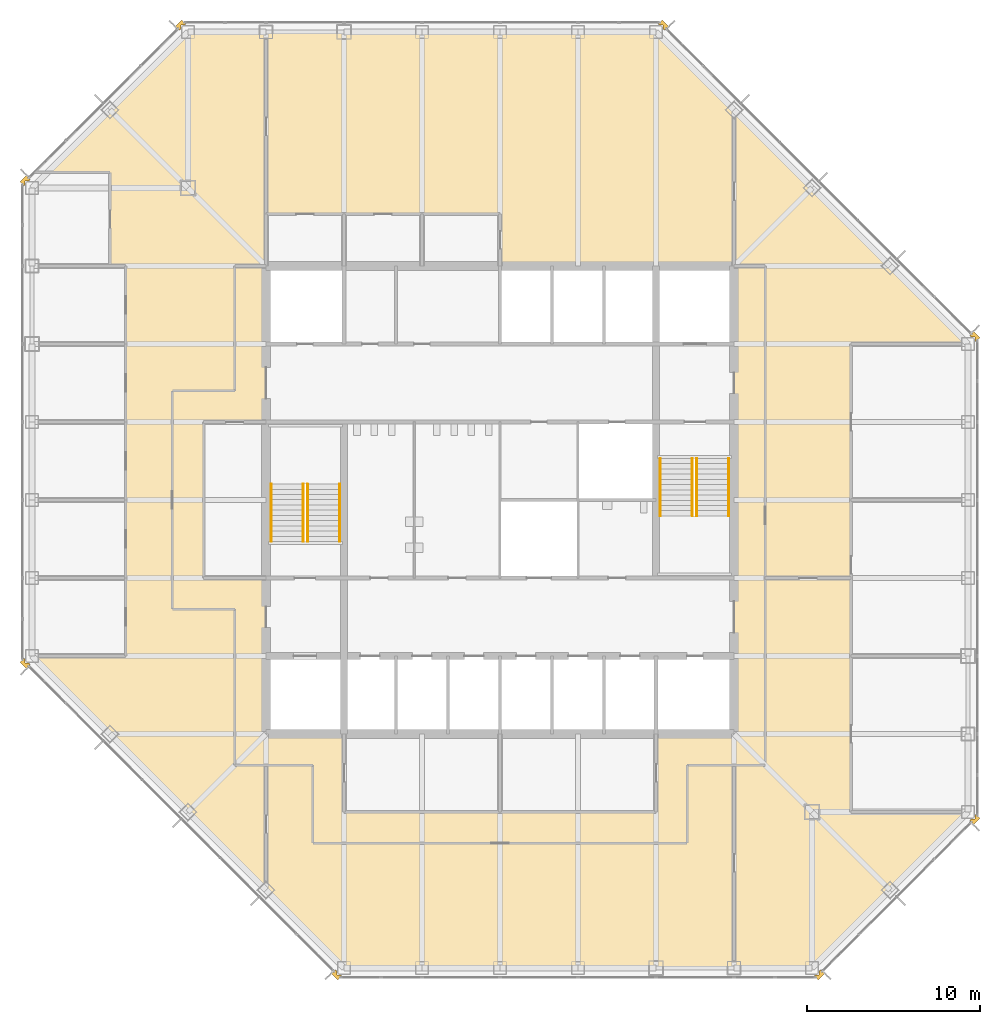
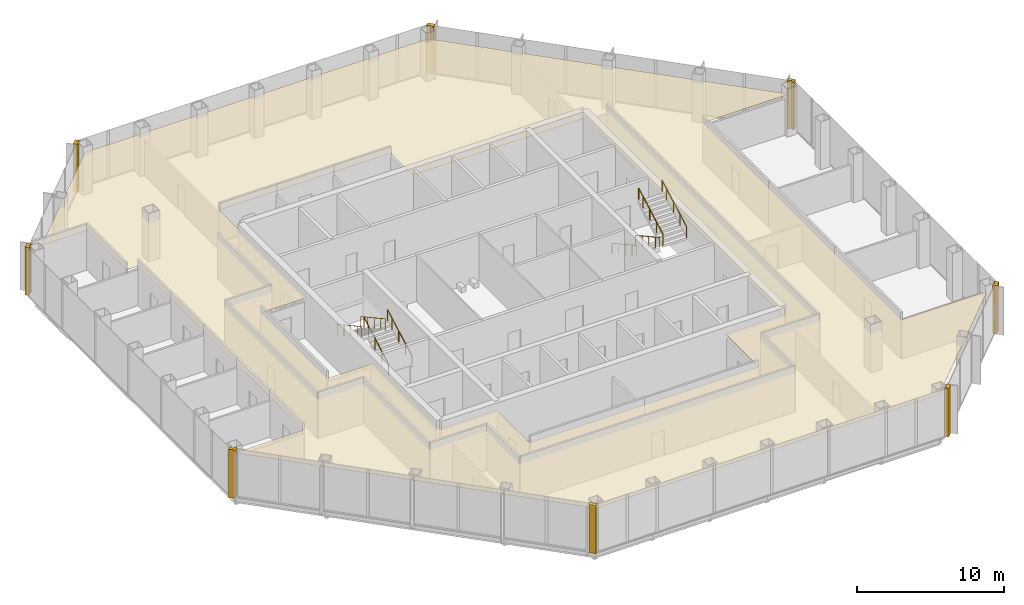
# One storey, part 12 of 13: 9 coverings, 8 railings.
"""IFC4 building model written with IfcOpenShell, lengths in metres."""

import ifcopenshell
import ifcopenshell.guid

model = None  # the IFC model being written
_history = None  # IfcOwnerHistory: only IFC2X3 demands one
_inside = {}  # id of a spatial element -> (the spatial element, [elements in it])
_under = {}  # id of a project, library or spatial element -> (it, [spatial elements below it])
_declared = {}  # id of a project -> (the project, [libraries it declares])
_typed = {}  # id of a type object -> (the type object, [elements of that type])
_made_of = {}  # id of a material, layer set ... -> (it, [elements and type objects made of it])


def new_model(schema):
    """Start an empty IFC model of exactly this schema.

    Asked for "IFC4X3", IfcOpenShell would pick the latest addendum, in which some entities
    have other attributes; the version numbers below select the first issue.
    IFC2X3 requires an IfcOwnerHistory on every rooted entity: one is made here for all.
    """
    global model, _history
    if schema == "IFC4X3":
        model = ifcopenshell.file(schema_version=(4, 3, 0, 0))
    else:
        model = ifcopenshell.file(schema=schema)
    _inside.clear()
    _under.clear()
    _declared.clear()
    _typed.clear()
    _made_of.clear()
    _history = None
    if model.schema == "IFC2X3":
        org = make("IfcOrganization", Name="unknown")
        user = make(
            "IfcPersonAndOrganization",
            ThePerson=make("IfcPerson", FamilyName="unknown"),
            TheOrganization=org,
        )
        app = make(
            "IfcApplication",
            ApplicationDeveloper=org,
            Version="unknown",
            ApplicationFullName="unknown",
            ApplicationIdentifier="unknown",
        )
        _history = make(
            "IfcOwnerHistory",
            OwningUser=user,
            OwningApplication=app,
            ChangeAction="ADDED",
            CreationDate=0,
        )
    return model


def make(cls, **values):
    """One entity of the class cls with the attributes given. An attribute that is None is left unset."""
    return model.create_entity(
        cls, **{name: value for name, value in values.items() if value is not None}
    )


def rooted(cls, **values):
    """An entity with a GlobalId (a new one), such as an element, a storey or a relation."""
    return make(cls, GlobalId=ifcopenshell.guid.new(), OwnerHistory=_history, **values)


def si_unit(unit_type, name, prefix=None):
    """IfcSIUnit, for example si_unit("LENGTHUNIT", "METRE", prefix="MILLI")."""
    return make("IfcSIUnit", UnitType=unit_type, Prefix=prefix, Name=name)


def assignment(units):
    """IfcUnitAssignment: the units of a project."""
    return None if units is None else make("IfcUnitAssignment", Units=units)


def point(xyz):
    """IfcCartesianPoint."""
    return None if xyz is None else make("IfcCartesianPoint", Coordinates=xyz)


def direction(xyz):
    """IfcDirection."""
    return None if xyz is None else make("IfcDirection", DirectionRatios=xyz)


def frame(location, z_axis=None, x_axis=None):
    """IfcAxis2Placement3D, a coordinate frame: its origin and axes. An axis left out is left unset."""
    return make(
        "IfcAxis2Placement3D",
        Location=point(location),
        Axis=direction(z_axis),
        RefDirection=direction(x_axis),
    )


def frame_2d(location, x_axis=None):
    """IfcAxis2Placement2D, a coordinate frame in the plane: its origin and x axis."""
    return make(
        "IfcAxis2Placement2D", Location=point(location), RefDirection=direction(x_axis)
    )


def origin():
    """The frame at (0, 0, 0) with its axes left unset."""
    return frame((0.0, 0.0, 0.0))


def origin_2d():
    """The frame at (0, 0) in the plane with its x axis left unset."""
    return frame_2d((0.0, 0.0))


def place(relative_to, where):
    """IfcLocalPlacement: puts the frame where relative to a parent placement (None: the world)."""
    return make(
        "IfcLocalPlacement", PlacementRelTo=relative_to, RelativePlacement=where
    )


def context(
    kind, dimensions, precision=None, world=None, true_north=None, identifier=None
):
    """IfcGeometricRepresentationContext, for example the 3D "Model" context."""
    return make(
        "IfcGeometricRepresentationContext",
        ContextIdentifier=identifier,
        ContextType=kind,
        CoordinateSpaceDimension=dimensions,
        Precision=precision,
        WorldCoordinateSystem=world,
        TrueNorth=true_north,
    )


def subcontext(parent, identifier, kind, view, scale=None):
    """IfcGeometricRepresentationSubContext, for example "Body" below "Model"."""
    return make(
        "IfcGeometricRepresentationSubContext",
        ContextIdentifier=identifier,
        ContextType=kind,
        ParentContext=parent,
        TargetScale=scale,
        TargetView=view,
    )


def project(units=None, contexts=None):
    """IfcProject with its units and contexts."""
    return rooted(
        "IfcProject",
        Name="project",
        RepresentationContexts=contexts,
        UnitsInContext=assignment(units),
    )


def spatial(cls, under=None, at=None, **own):
    """A site, building, storey or space (cls), placed at a placement, below another one or the project."""
    s = rooted(cls, ObjectPlacement=at, **own)
    if under is not None:
        _under.setdefault(under.id(), (under, []))[1].append(s)
    return s


def polyline(points):
    """IfcPolyline through the points."""
    return make("IfcPolyline", Points=[point(p) for p in points])


def profile(cls, at=None, kind="AREA", **sizes):
    """A parametric profile (cls). Its sizes go by their IFC names, for example OverallWidth=200.0."""
    return make(cls, ProfileType=kind, Position=at, **sizes)


def circle(**sizes):
    """IfcCircleProfileDef."""
    return profile("IfcCircleProfileDef", **sizes)


def outline(outer, holes=None, kind="AREA"):
    """IfcArbitraryClosedProfileDef: a profile drawn as a closed curve; with holes, ...WithVoids."""
    if holes is None:
        return make("IfcArbitraryClosedProfileDef", ProfileType=kind, OuterCurve=outer)
    return make(
        "IfcArbitraryProfileDefWithVoids",
        ProfileType=kind,
        OuterCurve=outer,
        InnerCurves=holes,
    )


def extrude(swept, where, along, depth):
    """IfcExtrudedAreaSolid: the profile swept, set in the frame where, extruded along a direction by depth."""
    return make(
        "IfcExtrudedAreaSolid",
        SweptArea=swept,
        Position=where,
        ExtrudedDirection=direction(along),
        Depth=depth,
    )


def shape(context_of_items, identifier, shape_type, items):
    """IfcShapeRepresentation: the items that make up one representation, for example the "Body"."""
    return make(
        "IfcShapeRepresentation",
        ContextOfItems=context_of_items,
        RepresentationIdentifier=identifier,
        RepresentationType=shape_type,
        Items=items,
    )


def material(Name=None, Category=None):
    """IfcMaterial."""
    return make("IfcMaterial", Name=Name, Category=Category)


def layer(
    of_material, thickness, ventilated=None, Name=None, Category=None, Priority=None
):
    """IfcMaterialLayer: one layer of a wall or slab, of a material (None: an air gap)."""
    return make(
        "IfcMaterialLayer",
        Material=of_material,
        LayerThickness=thickness,
        IsVentilated=ventilated,
        Name=Name,
        Category=Category,
        Priority=Priority,
    )


def layer_set(layers, Name=None):
    """IfcMaterialLayerSet."""
    return make("IfcMaterialLayerSet", MaterialLayers=layers, LayerSetName=Name)


def made_of(thing, what):
    """Note that an element or type object is made of a material, layer set ...; save() writes the relation."""
    if what is not None:
        _made_of.setdefault(what.id(), (what, []))[1].append(thing)
    return thing


def type_object(cls, material=None, **own):
    """A type object (cls), such as IfcWallType, which elements share."""
    return made_of(rooted(cls, **own), material)


def element(
    cls,
    number,
    at=None,
    inside=None,
    cuts=None,
    type_object=None,
    material=None,
    context=None,
    identifier="Body",
    shape_type=None,
    held_by="IfcProductDefinitionShape",
    body=None,
    shapes=None,
    **own,
):
    """One element of the class cls, such as IfcWall. Its Tag is "e" and its number.

    at: its placement. inside: the storey or other place that contains it. cuts: it is an
    opening in that element (IfcRelVoidsElement). A single representation is given by context,
    identifier, shape_type and body (its items); several are given by shapes. held_by: the class
    of the entity that holds the representations. save() writes the other relations.
    """
    e = rooted(cls, Tag="e%d" % number, ObjectPlacement=at, **own)
    if body is not None:
        shapes = [shape(context, identifier, shape_type, body)]
    if shapes is not None:
        e.Representation = make(held_by, Representations=shapes)
    if inside is not None:
        _inside.setdefault(inside.id(), (inside, []))[1].append(e)
    if cuts is not None:
        rooted(
            "IfcRelVoidsElement", RelatingBuildingElement=cuts, RelatedOpeningElement=e
        )
    if type_object is not None:
        _typed.setdefault(type_object.id(), (type_object, []))[1].append(e)
    return made_of(e, material)


def aggregate(whole, parts):
    """IfcRelAggregates: a whole, such as a stair, and the parts it consists of."""
    return rooted("IfcRelAggregates", RelatingObject=whole, RelatedObjects=parts)


def save(model, path):
    """Write the relations noted so far, then the file.

    IfcRelAggregates (storeys below a building ...), IfcRelContainedInSpatialStructure (elements
    in a storey), IfcRelDefinesByType, IfcRelAssociatesMaterial and IfcRelDeclares: one each for
    every whole, place, type object, material and project.
    """
    for whole, parts in _under.values():
        aggregate(whole, parts)
    for where, things in _inside.values():
        rooted(
            "IfcRelContainedInSpatialStructure",
            RelatedElements=things,
            RelatingStructure=where,
        )
    for kind, things in _typed.values():
        rooted("IfcRelDefinesByType", RelatedObjects=things, RelatingType=kind)
    for what, things in _made_of.values():
        rooted("IfcRelAssociatesMaterial", RelatedObjects=things, RelatingMaterial=what)
    for by, libraries in _declared.values():
        rooted("IfcRelDeclares", RelatingContext=by, RelatedDefinitions=libraries)
    model.write(path)


model = new_model("IFC4")

# Units and contexts
model_context = context("Model", 3, precision=1e-05, world=origin(), true_north=direction((0.0, 1.0)))
body_context = subcontext(model_context, "Body", "Model", "MODEL_VIEW")
ifc_project = project(units=[si_unit("LENGTHUNIT", "METRE"), si_unit("AREAUNIT", "SQUARE_METRE"), si_unit("VOLUMEUNIT", "CUBIC_METRE"), si_unit("PLANEANGLEUNIT", "RADIAN"), si_unit("MASSUNIT", "GRAM", prefix="KILO")], contexts=[model_context])

# Site, building, storey
site_placement = place(None, origin())
site = spatial("IfcSite", under=ifc_project, at=site_placement, CompositionType="ELEMENT")
building_placement = place(site_placement, origin())
building = spatial("IfcBuilding", under=site, at=building_placement, Name="Corais Broadcast Tower", CompositionType="ELEMENT")
storey_placement = place(building_placement, frame((0.0, 0.0, 151.60009765625)))
storey = spatial("IfcBuildingStorey", under=building, at=storey_placement, Name="L34", CompositionType="ELEMENT", Elevation=151.60009765625)

# Railings
ifc_material_1 = material(Name="Stainless steel handrail", Category="steel")
railing_type = type_object("IfcRailingType", Name="Handrail 920", PredefinedType="HANDRAIL", material=ifc_material_1)
for number, where, name in (
    (1, (17.75, 24.60009765625, 0.16650390625), "HR1 L34"),
    (2, (15.89990234375, 24.60009765625, 0.16650390625), "HR1 L34"),
):
    element("IfcRailing", number, at=place(storey_placement, frame(where)), inside=storey, type_object=railing_type, Name=name, PredefinedType="HANDRAIL", context=body_context, shape_type="SweptSolid", body=[
        extrude(circle(Radius=0.02392578125, at=origin_2d()), frame((0.0, 0.0, 0.89599609375), z_axis=(0.0, 0.875504475178, 0.483210010185), x_axis=(-1.0, 0.0, 0.0)), (0.0, 0.0, 1.0), 3.79443359375),
        extrude(circle(Radius=0.02099609375, at=origin_2d()), origin(), (0.0, 0.0, 1.0), 0.871826171875),
        extrude(circle(Radius=0.02099609375, at=origin_2d()), frame((0.0, 0.906005859375, 0.5)), (0.0, 0.0, 1.0), 0.871826171875),
        extrude(circle(Radius=0.02099609375, at=origin_2d()), frame((0.0, 1.81201171875, 1.0)), (0.0, 0.0, 1.0), 0.871826171875),
        extrude(circle(Radius=0.02099609375, at=origin_2d()), frame((0.0, 2.718017578125, 1.500244140625)), (0.0, 0.0, 1.0), 0.871826171875),
        extrude(circle(Radius=0.02099609375, at=origin_2d()), frame((0.0, 3.322021484375, 1.83349609375)), (0.0, 0.0, 1.0), 0.871826171875),
    ])
for number, where, name in (
    (3, (13.800048828125, 27.922119140625, 2.16650390625), "HR1 L34"),
    (4, (15.64990234375, 27.922119140625, 2.16650390625), "HR1 L34"),
    (5, (36.25, 29.39990234375, 0.16650390625), "HR1 L34"),
    (6, (38.10009765625, 29.39990234375, 0.16650390625), "HR1 L34"),
):
    element("IfcRailing", number, at=place(storey_placement, frame(where)), inside=storey, type_object=railing_type, Name=name, PredefinedType="HANDRAIL", context=body_context, shape_type="SweptSolid", body=[
        extrude(circle(Radius=0.02392578125, at=origin_2d()), frame((0.0, 0.0, 0.89599609375), z_axis=(0.0, -0.875504475178, 0.483210010185), x_axis=(1.0, 0.0, 0.0)), (0.0, 0.0, 1.0), 3.79443359375),
        extrude(circle(Radius=0.02099609375, at=origin_2d()), origin(), (0.0, 0.0, 1.0), 0.871826171875),
        extrude(circle(Radius=0.02099609375, at=origin_2d()), frame((0.0, -0.906005859375, 0.5)), (0.0, 0.0, 1.0), 0.871826171875),
        extrude(circle(Radius=0.02099609375, at=origin_2d()), frame((0.0, -1.81201171875, 1.0)), (0.0, 0.0, 1.0), 0.871826171875),
        extrude(circle(Radius=0.02099609375, at=origin_2d()), frame((0.0, -2.718017578125, 1.500244140625)), (0.0, 0.0, 1.0), 0.871826171875),
        extrude(circle(Radius=0.02099609375, at=origin_2d()), frame((0.0, -3.322021484375, 1.83349609375)), (0.0, 0.0, 1.0), 0.871826171875),
    ])
for number, where, name in (
    (7, (40.199951171875, 26.077880859375, 2.16650390625), "HR1 L34"),
    (8, (38.35009765625, 26.077880859375, 2.16650390625), "HR1 L34"),
):
    element("IfcRailing", number, at=place(storey_placement, frame(where)), inside=storey, type_object=railing_type, Name=name, PredefinedType="HANDRAIL", context=body_context, shape_type="SweptSolid", body=[
        extrude(circle(Radius=0.02392578125, at=origin_2d()), frame((0.0, 0.0, 0.89599609375), z_axis=(0.0, 0.875504475178, 0.483210010185), x_axis=(-1.0, 0.0, 0.0)), (0.0, 0.0, 1.0), 3.79443359375),
        extrude(circle(Radius=0.02099609375, at=origin_2d()), origin(), (0.0, 0.0, 1.0), 0.871826171875),
        extrude(circle(Radius=0.02099609375, at=origin_2d()), frame((0.0, 0.906005859375, 0.5)), (0.0, 0.0, 1.0), 0.871826171875),
        extrude(circle(Radius=0.02099609375, at=origin_2d()), frame((0.0, 1.81201171875, 1.0)), (0.0, 0.0, 1.0), 0.871826171875),
        extrude(circle(Radius=0.02099609375, at=origin_2d()), frame((0.0, 2.718017578125, 1.500244140625)), (0.0, 0.0, 1.0), 0.871826171875),
        extrude(circle(Radius=0.02099609375, at=origin_2d()), frame((0.0, 3.322021484375, 1.83349609375)), (0.0, 0.0, 1.0), 0.871826171875),
    ])

# Coverings
ifc_material_2 = material(Name="Granite stone cladding", Category="masonry")
ifc_layer_1 = layer(ifc_material_2, 0.324951171875)
ifc_layer_set_1 = layer_set([ifc_layer_1], Name="Granite stone cladding")
covering_type_1 = type_object("IfcCoveringType", Name="Stone corner pier cladding 500x325", PredefinedType="CLADDING", material=ifc_layer_set_1)
covering_1_placement = place(storey_placement, origin())
element("IfcCovering", 9, at=covering_1_placement, inside=storey, type_object=covering_type_1, Name="SP1 stone corner pier L34", PredefinedType="CLADDING", context=body_context, shape_type="SweptSolid", body=[
    extrude(outline(polyline([(17.860595703125, -0.461669921875), (17.799072265625, -0.39990234375), (17.60009765625, -0.39990234375), (17.60009765625, -0.200927734375), (17.507080078125, -0.108154296875), (17.277099609375, -0.337890625), (17.630859375, -0.69140625), (17.860595703125, -0.461669921875)])), origin(), (0.0, 0.0, 1.0), 4.0),
])
covering_2_placement = place(storey_placement, origin())
element("IfcCovering", 10, at=covering_2_placement, inside=storey, type_object=covering_type_1, Name="SP1 stone corner pier L34", PredefinedType="CLADDING", context=body_context, shape_type="SweptSolid", body=[
    extrude(outline(polyline([(-0.39990234375, 17.799072265625), (-0.461669921875, 17.860595703125), (-0.69140625, 17.630859375), (-0.337890625, 17.277099609375), (-0.108154296875, 17.507080078125), (-0.200927734375, 17.60009765625), (-0.39990234375, 17.60009765625), (-0.39990234375, 17.799072265625)])), origin(), (0.0, 0.0, 1.0), 4.0),
])
covering_3_placement = place(storey_placement, origin())
element("IfcCovering", 11, at=covering_3_placement, inside=storey, type_object=covering_type_1, Name="SP1 stone corner pier L34", PredefinedType="CLADDING", context=body_context, shape_type="SweptSolid", body=[
    extrude(outline(polyline([(-0.461669921875, 45.139404296875), (-0.39990234375, 45.200927734375), (-0.39990234375, 45.39990234375), (-0.200927734375, 45.39990234375), (-0.108154296875, 45.492919921875), (-0.337890625, 45.722900390625), (-0.69140625, 45.369140625), (-0.461669921875, 45.139404296875)])), origin(), (0.0, 0.0, 1.0), 4.0),
])
covering_4_placement = place(storey_placement, origin())
element("IfcCovering", 12, at=covering_4_placement, inside=storey, type_object=covering_type_1, Name="SP1 stone corner pier L34", PredefinedType="CLADDING", context=body_context, shape_type="SweptSolid", body=[
    extrude(outline(polyline([(8.799072265625, 54.39990234375), (8.860595703125, 54.461669921875), (8.630859375, 54.69140625), (8.277099609375, 54.337890625), (8.507080078125, 54.108154296875), (8.60009765625, 54.200927734375), (8.60009765625, 54.39990234375), (8.799072265625, 54.39990234375)])), origin(), (0.0, 0.0, 1.0), 4.0),
])
covering_5_placement = place(storey_placement, origin())
element("IfcCovering", 13, at=covering_5_placement, inside=storey, type_object=covering_type_1, Name="SP1 stone corner pier L34", PredefinedType="CLADDING", context=body_context, shape_type="SweptSolid", body=[
    extrude(outline(polyline([(36.139404296875, 54.461669921875), (36.200927734375, 54.39990234375), (36.39990234375, 54.39990234375), (36.39990234375, 54.200927734375), (36.492919921875, 54.108154296875), (36.722900390625, 54.337890625), (36.369140625, 54.69140625), (36.139404296875, 54.461669921875)])), origin(), (0.0, 0.0, 1.0), 4.0),
])
covering_6_placement = place(storey_placement, origin())
element("IfcCovering", 14, at=covering_6_placement, inside=storey, type_object=covering_type_1, Name="SP1 stone corner pier L34", PredefinedType="CLADDING", context=body_context, shape_type="SweptSolid", body=[
    extrude(outline(polyline([(54.39990234375, 36.200927734375), (54.461669921875, 36.139404296875), (54.69140625, 36.369140625), (54.337890625, 36.722900390625), (54.108154296875, 36.492919921875), (54.200927734375, 36.39990234375), (54.39990234375, 36.39990234375), (54.39990234375, 36.200927734375)])), origin(), (0.0, 0.0, 1.0), 4.0),
])
covering_7_placement = place(storey_placement, origin())
element("IfcCovering", 15, at=covering_7_placement, inside=storey, type_object=covering_type_1, Name="SP1 stone corner pier L34", PredefinedType="CLADDING", context=body_context, shape_type="SweptSolid", body=[
    extrude(outline(polyline([(54.461669921875, 8.860595703125), (54.39990234375, 8.799072265625), (54.39990234375, 8.60009765625), (54.200927734375, 8.60009765625), (54.108154296875, 8.507080078125), (54.337890625, 8.277099609375), (54.69140625, 8.630859375), (54.461669921875, 8.860595703125)])), origin(), (0.0, 0.0, 1.0), 4.0),
])
covering_8_placement = place(storey_placement, origin())
element("IfcCovering", 16, at=covering_8_placement, inside=storey, type_object=covering_type_1, Name="SP1 stone corner pier L34", PredefinedType="CLADDING", context=body_context, shape_type="SweptSolid", body=[
    extrude(outline(polyline([(45.200927734375, -0.39990234375), (45.139404296875, -0.461669921875), (45.369140625, -0.69140625), (45.722900390625, -0.337890625), (45.492919921875, -0.108154296875), (45.39990234375, -0.200927734375), (45.39990234375, -0.39990234375), (45.200927734375, -0.39990234375)])), origin(), (0.0, 0.0, 1.0), 4.0),
])
ifc_material_3 = material(Name="Mineral fibre ceiling tile", Category="mineral")
ifc_layer_2 = layer(ifc_material_3, 0.02001953125)
ifc_layer_set_2 = layer_set([ifc_layer_2], Name="Mineral fibre ceiling tile")
covering_type_2 = type_object("IfcCoveringType", Name="Suspended ceiling", PredefinedType="CEILING", material=ifc_layer_set_2)
covering_9_placement = place(storey_placement, frame((0.0, 0.0, 3.219970703125)))
element("IfcCovering", 17, at=covering_9_placement, inside=storey, type_object=covering_type_2, Name="CE1 ceiling L34", PredefinedType="CEILING", context=body_context, shape_type="SweptSolid", body=[
    extrude(outline(polyline([(47.25, 9.0), (54.0, 9.0), (45.0, 0.0), (18.0, 0.0), (13.501708984375, 4.498291015625), (13.50048828125, 4.49951171875), (13.499755859375, 4.500244140625), (0.0, 18.0), (5.39990234375, 18.0), (5.39990234375, 40.5), (4.5, 40.5), (4.5, 45.89990234375), (0.89990234375, 45.89990234375), (9.0, 54.0), (36.0, 54.0), (54.0, 36.0), (47.25, 36.0), (47.25, 9.0)]), holes=[polyline([(13.5, 31.5), (9.89990234375, 31.5), (9.89990234375, 22.5), (13.5, 22.5), (13.5, 13.5), (18.0, 13.5), (18.0, 9.0), (36.0, 9.0), (36.0, 13.5), (40.5, 13.5), (40.5, 40.5), (27.0, 40.5), (27.0, 43.5), (13.5, 43.5), (13.5, 31.5)])]), origin(), (0.0, 0.0, 1.0), 0.02001953125),
])

save(model, "model.ifc")
